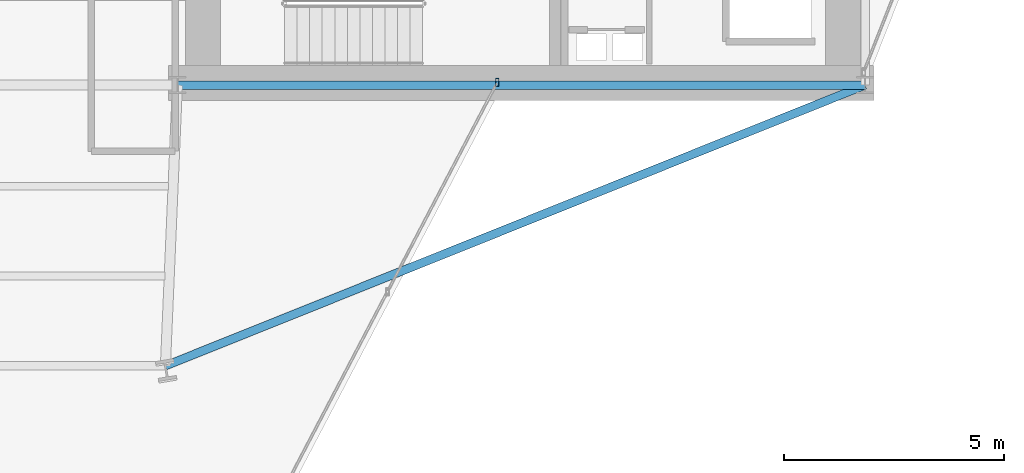
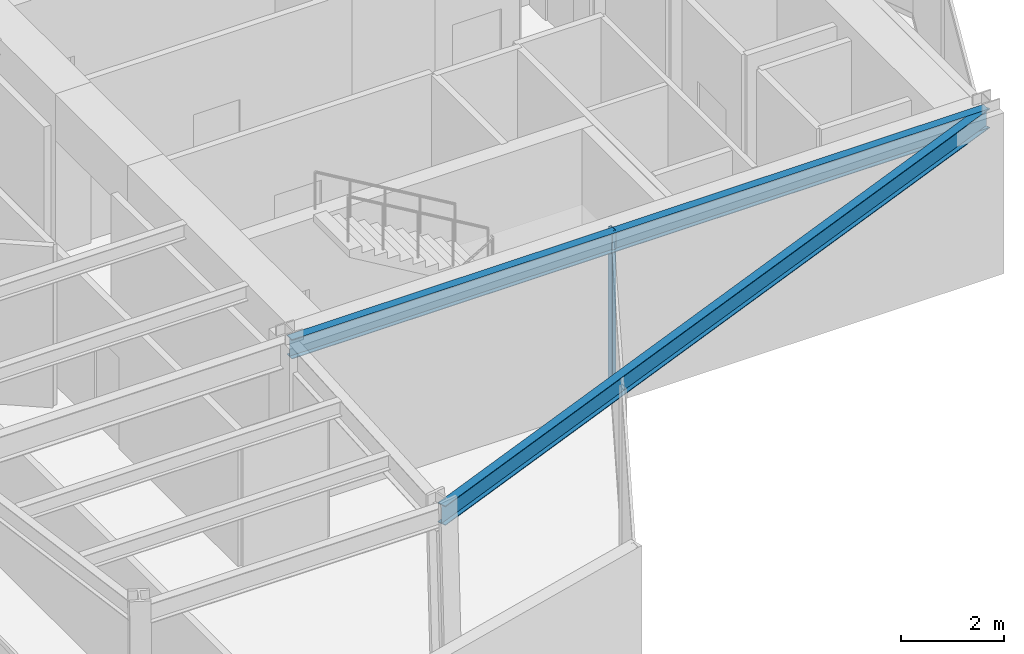
# One storey, part 13 of 25: 2 beams, 1 member, 1 element without a shape of its own.
"""IFC4 building model written with IfcOpenShell, lengths in metres."""

from ifc_helpers import new_model, si_unit, direction, frame, origin, origin_2d, place, context, subcontext, project, spatial, hollow_rectangle, i_section, extrude, material, layer, layer_set, material_profile, profile_set, type_object, element, aggregate, save


model = new_model("IFC4")

# Units and contexts
model_context = context("Model", 3, precision=1e-05, world=origin(), true_north=direction((0.0, 1.0)))
body_context = subcontext(model_context, "Body", "Model", "MODEL_VIEW")
ifc_project = project(units=[si_unit("LENGTHUNIT", "METRE"), si_unit("AREAUNIT", "SQUARE_METRE"), si_unit("VOLUMEUNIT", "CUBIC_METRE"), si_unit("PLANEANGLEUNIT", "RADIAN"), si_unit("MASSUNIT", "GRAM", prefix="KILO")], contexts=[model_context])

# Site, building, storey
site_placement = place(None, origin())
site = spatial("IfcSite", under=ifc_project, at=site_placement, CompositionType="ELEMENT")
building_placement = place(site_placement, origin())
building = spatial("IfcBuilding", under=site, at=building_placement, Name="Veymaron Broadcast Tower", CompositionType="ELEMENT")
storey_placement = place(building_placement, frame((0.0, 0.0, 149.25)))
storey = spatial("IfcBuildingStorey", under=building, at=storey_placement, Name="L34", CompositionType="ELEMENT", Elevation=149.25)

# Beams
ifc_material_1 = material(Name="Structural steel ASTM A992 Gr 50", Category="steel")
ifc_material_profile_1 = material_profile(ifc_material_1, i_section(OverallWidth=0.19091796875, OverallDepth=0.4599609375, WebThickness=0.010009765625, FlangeThickness=0.01611328125, at=origin_2d()), Name="W460X82")
ifc_profile_set_1 = profile_set([ifc_material_profile_1], Name="Structural steel ASTM A992 Gr 50")
beam_type = type_object("IfcBeamType", Name="BM-SP1", PredefinedType="SPANDREL", material=ifc_profile_set_1)
beam_1_placement = place(storey_placement, frame((39.0, 16.0, 3.580078125), z_axis=(1.0, 0.0, 0.0), x_axis=(0.0, 1.0, 0.0)))
element("IfcBeam", 1, at=beam_1_placement, inside=storey, type_object=beam_type, Name="L34 primary structural floor girder", PredefinedType="SPANDREL", context=body_context, shape_type="SweptSolid", body=[
    extrude(i_section(OverallWidth=0.19091796875, OverallDepth=0.4599609375, WebThickness=0.010009765625, FlangeThickness=0.01611328125, at=origin_2d()), origin(), (0.0, 0.0, 1.0), 15.60009765625),
])
beam_2_placement = place(storey_placement, frame((54.60009765625, 16.0, 3.580078125), z_axis=(-0.928091240727, -0.372352855348, 0.0), x_axis=(0.372352855348, -0.928091240727, 0.0)))
element("IfcBeam", 2, at=beam_2_placement, inside=storey, type_object=beam_type, Name="L34 primary structural floor girder", PredefinedType="SPANDREL", context=body_context, shape_type="SweptSolid", body=[
    extrude(i_section(OverallWidth=0.19091796875, OverallDepth=0.4599609375, WebThickness=0.010009765625, FlangeThickness=0.01611328125, at=origin_2d()), origin(), (0.0, 0.0, 1.0), 17.101806640625),
])

# Curtain wall, member
ifc_material_2 = material(Name="Anodised aluminium AA 6063-T6 and laminated low-E dark glass", Category="aluminium")
ifc_layer = layer(ifc_material_2, 0.179931640625)
ifc_layer_set = layer_set([ifc_layer], Name="Anodised aluminium AA 6063-T6 and laminated low-E dark glass")
curtain_wall_type = type_object("IfcCurtainWallType", Name="CW-SYS-03", PredefinedType="NOTDEFINED", material=ifc_layer_set)
curtain_wall_placement = place(storey_placement, origin())
curtain_wall = element("IfcCurtainWall", 3, at=curtain_wall_placement, inside=storey, type_object=curtain_wall_type, Name="L34 dark-glass curtain wall CW-L34-E20-1", PredefinedType="NOTDEFINED")
ifc_material_3 = material(Name="Anodised aluminium AA 6063-T6", Category="aluminium")
ifc_material_profile_2 = material_profile(ifc_material_3, hollow_rectangle(XDim=0.074951171875, YDim=0.179931640625, WallThickness=0.0048828125, at=origin_2d()), Name="AL180X75X5")
ifc_profile_set_2 = profile_set([ifc_material_profile_2], Name="Anodised aluminium AA 6063-T6")
member_type = type_object("IfcMemberType", Name="CW-MUL-02", PredefinedType="MULLION", material=ifc_profile_set_2)
member_placement = place(storey_placement, frame((46.25634765625, 16.06494140625, 0.0), z_axis=(0.0, 0.0, 1.0), x_axis=(1.0, 0.0, 0.0)))
member = element("IfcMember", 4, at=member_placement, type_object=member_type, Name="CW-L34-E20-1 mullion 2", PredefinedType="MULLION", context=body_context, shape_type="SweptSolid", body=[
    extrude(hollow_rectangle(XDim=0.074951171875, YDim=0.179931640625, WallThickness=0.0048828125, at=origin_2d()), origin(), (0.0, 0.0, 1.0), 3.81005859375),
])
aggregate(curtain_wall, [member])

save(model, "model.ifc")
